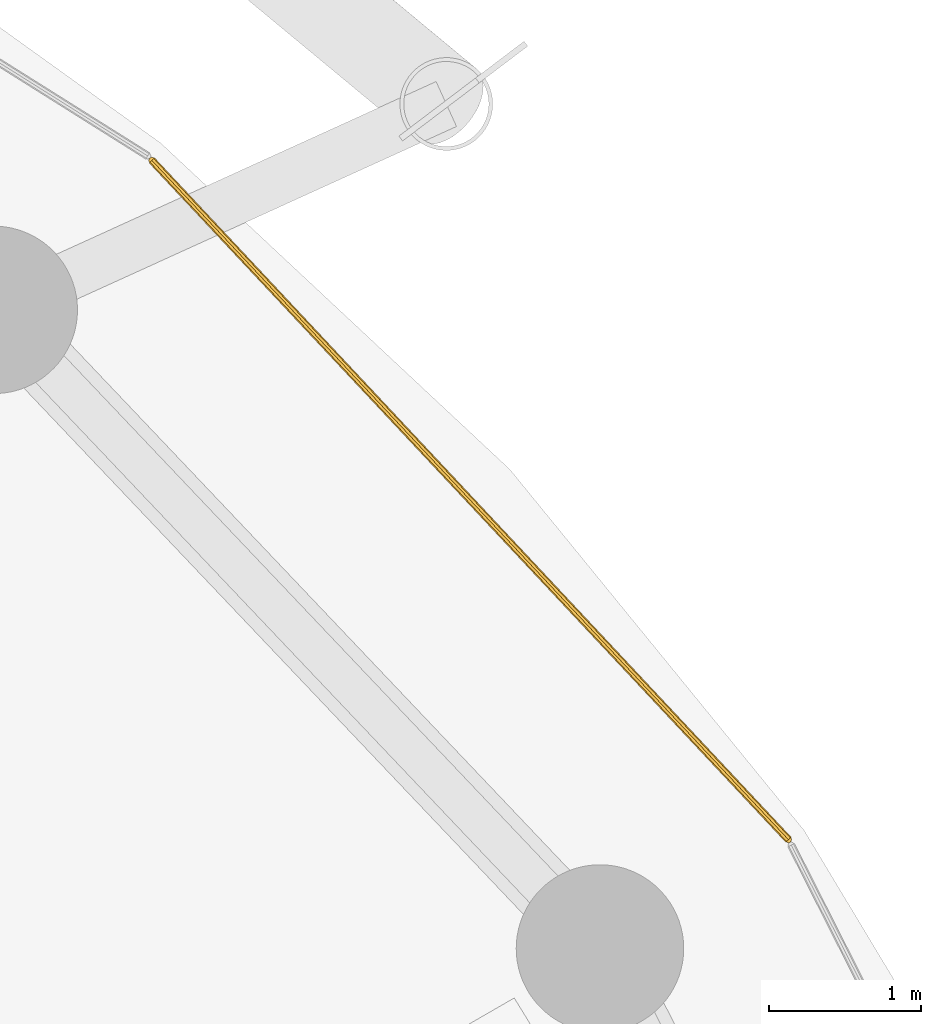
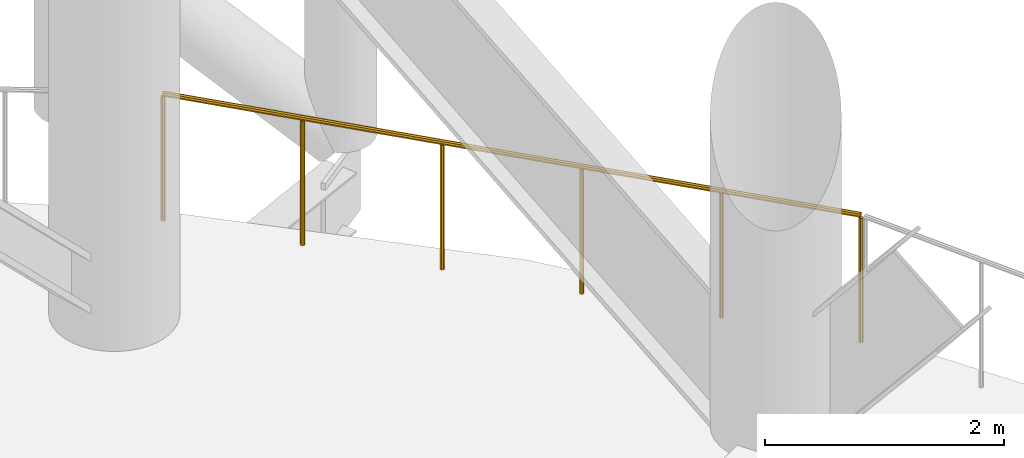
# One storey, part 19 of 19: 1 railing.
"""IFC4 building model written with IfcOpenShell, lengths in metres."""

from ifc_helpers import new_model, si_unit, direction, frame, origin, place, context, subcontext, project, spatial, polyline, outline, extrude, material, type_object, element, save


model = new_model("IFC4")

# Units and contexts
model_context = context("Model", 3, precision=1e-05, world=origin(), true_north=direction((0.0, 1.0)))
body_context = subcontext(model_context, "Body", "Model", "MODEL_VIEW")
ifc_project = project(units=[si_unit("LENGTHUNIT", "METRE"), si_unit("AREAUNIT", "SQUARE_METRE"), si_unit("VOLUMEUNIT", "CUBIC_METRE"), si_unit("PLANEANGLEUNIT", "RADIAN"), si_unit("MASSUNIT", "GRAM", prefix="KILO")], contexts=[model_context])

# Site, building, storey
site_placement = place(None, origin())
site = spatial("IfcSite", under=ifc_project, at=site_placement, CompositionType="ELEMENT")
building_placement = place(site_placement, origin())
building = spatial("IfcBuilding", under=site, at=building_placement, Name="Nuhasar Tower", CompositionType="ELEMENT")
storey_placement = place(building_placement, frame((0.0, 0.0, 106.050048828125)))
storey = spatial("IfcBuildingStorey", under=building, at=storey_placement, Name="L25", CompositionType="ELEMENT", Elevation=106.050048828125)

# Railing
ifc_material = material(Name="Stainless Steel 316L", Category="steel")
railing_type = type_object("IfcRailingType", Name="RLG-WIND-1320", PredefinedType="GUARDRAIL", material=ifc_material)
railing_placement = place(storey_placement, frame((61.931884765625, 37.639892578125, 0.0)))
element("IfcRailing", 1, at=railing_placement, inside=storey, type_object=railing_type, Name="L25 Open Wind Floor Perimeter Guardrail 03", PredefinedType="GUARDRAIL", context=body_context, shape_type="SweptSolid", body=[
    extrude(outline(polyline([(0.024169921875, 0.0), (0.01708984375, 0.01708984375), (0.0, 0.024169921875), (-0.01708984375, 0.01708984375), (-0.024169921875, 0.0), (-0.01708984375, -0.01708984375), (0.0, -0.024169921875), (0.01708984375, -0.01708984375), (0.024169921875, 0.0)])), frame((0.0, 0.0, 1.2958984375), z_axis=(-0.683814934005, 0.729655491333, 0.0), x_axis=(-0.729655491333, -0.683814934005, 0.0)), (0.0, 0.0, 1.0), 6.114013671875),
    extrude(outline(polyline([(0.02099609375, 0.0), (0.014892578125, 0.014892578125), (0.0, 0.02099609375), (-0.014892578125, 0.014892578125), (-0.02099609375, 0.0), (-0.014892578125, -0.014892578125), (0.0, -0.02099609375), (0.014892578125, -0.014892578125), (0.02099609375, 0.0)])), origin(), (0.0, 0.0, 1.0), 1.27197265625),
    extrude(outline(polyline([(0.02099609375, 0.0), (0.014892578125, 0.014892578125), (0.0, 0.02099609375), (-0.014892578125, 0.014892578125), (-0.02099609375, 0.0), (-0.014892578125, -0.014892578125), (0.0, -0.02099609375), (0.014892578125, -0.014892578125), (0.02099609375, 0.0)])), frame((-0.836181640625, 0.892333984375, 0.0)), (0.0, 0.0, 1.0), 1.27197265625),
    extrude(outline(polyline([(0.02099609375, 0.0), (0.014892578125, 0.014892578125), (0.0, 0.02099609375), (-0.014892578125, 0.014892578125), (-0.02099609375, 0.0), (-0.014892578125, -0.014892578125), (0.0, -0.02099609375), (0.014892578125, -0.014892578125), (0.02099609375, 0.0)])), frame((-1.67236328125, 1.784423828125, 0.0)), (0.0, 0.0, 1.0), 1.27197265625),
    extrude(outline(polyline([(0.02099609375, 0.0), (0.014892578125, 0.014892578125), (0.0, 0.02099609375), (-0.014892578125, 0.014892578125), (-0.02099609375, 0.0), (-0.014892578125, -0.014892578125), (0.0, -0.02099609375), (0.014892578125, -0.014892578125), (0.02099609375, 0.0)])), frame((-2.508544921875, 2.6767578125, 0.0)), (0.0, 0.0, 1.0), 1.27197265625),
    extrude(outline(polyline([(0.02099609375, 0.0), (0.014892578125, 0.014892578125), (0.0, 0.02099609375), (-0.014892578125, 0.014892578125), (-0.02099609375, 0.0), (-0.014892578125, -0.014892578125), (0.0, -0.02099609375), (0.014892578125, -0.014892578125), (0.02099609375, 0.0)])), frame((-3.3447265625, 3.56884765625, 0.0)), (0.0, 0.0, 1.0), 1.27197265625),
    extrude(outline(polyline([(0.02099609375, 0.0), (0.014892578125, 0.014892578125), (0.0, 0.02099609375), (-0.014892578125, 0.014892578125), (-0.02099609375, 0.0), (-0.014892578125, -0.014892578125), (0.0, -0.02099609375), (0.014892578125, -0.014892578125), (0.02099609375, 0.0)])), frame((-4.180908203125, 4.461181640625, 0.0)), (0.0, 0.0, 1.0), 1.27197265625),
])

save(model, "model.ifc")
